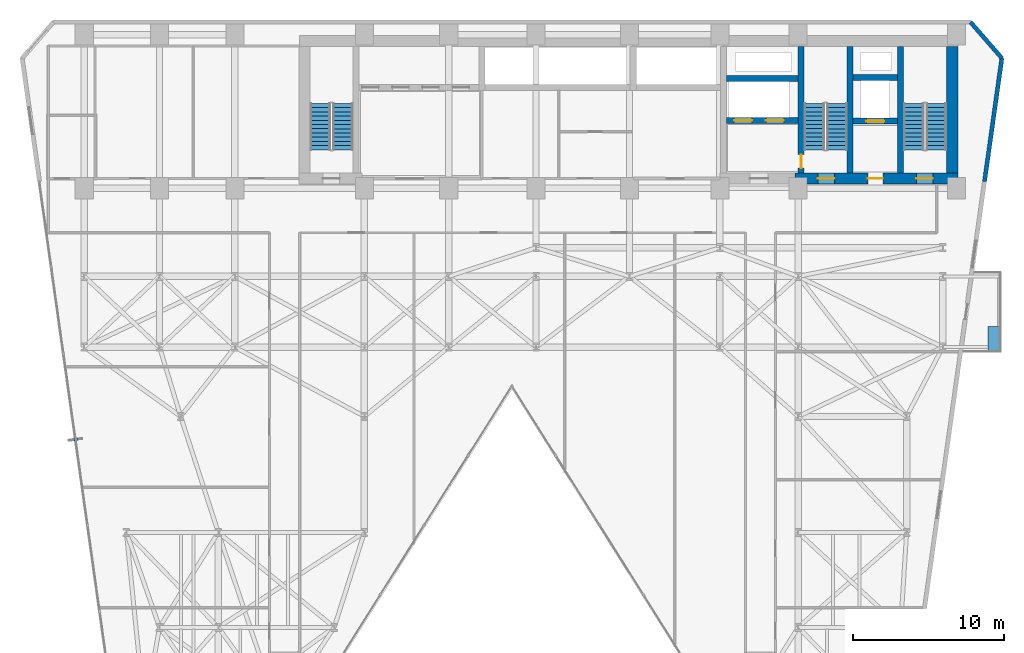
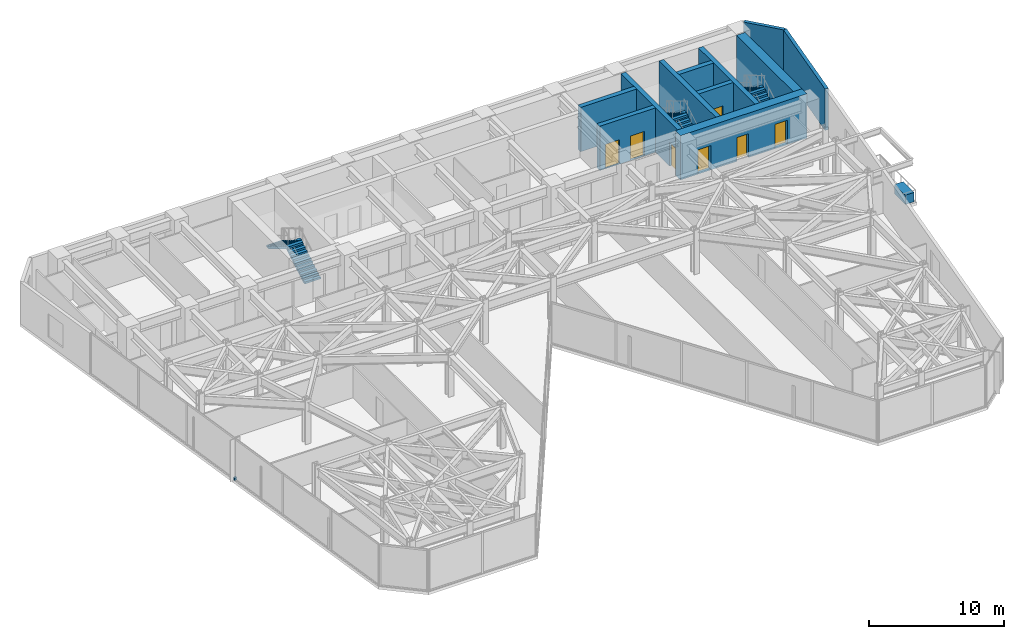
# One storey, part 21 of 25: 11 walls, 7 doors, 6 stair flights, 2 discrete accessories, 7 openings, 3 elements without a shape of their own.
"""IFC4 building model written with IfcOpenShell, lengths in metres."""

from ifc_helpers import new_model, si_unit, direction, frame, frame_2d, origin, origin_2d, place, context, subcontext, project, spatial, polyline, rectangle, outline, extrude, material, layer, layer_set, type_object, element, fill, aggregate, save


model = new_model("IFC4")

# Units and contexts
model_context = context("Model", 3, precision=1e-05, world=origin(), true_north=direction((0.0, 1.0)))
body_context = subcontext(model_context, "Body", "Model", "MODEL_VIEW")
ifc_project = project(units=[si_unit("LENGTHUNIT", "METRE"), si_unit("AREAUNIT", "SQUARE_METRE"), si_unit("VOLUMEUNIT", "CUBIC_METRE"), si_unit("PLANEANGLEUNIT", "RADIAN"), si_unit("MASSUNIT", "GRAM", prefix="KILO")], contexts=[model_context])

# Site, building, storey
site_placement = place(None, origin())
site = spatial("IfcSite", under=ifc_project, at=site_placement, CompositionType="ELEMENT")
building_placement = place(site_placement, origin())
building = spatial("IfcBuilding", under=site, at=building_placement, Name="Kravanh Interchange Tower", CompositionType="ELEMENT")
storey_placement = place(building_placement, frame((0.0, 0.0, 57.5)))
storey = spatial("IfcBuildingStorey", under=building, at=storey_placement, Name="L13", CompositionType="ELEMENT", Elevation=57.5)

# Walls
ifc_material_1 = material(Name="Concrete C80/95", Category="concrete")
ifc_layer_1 = layer(ifc_material_1, 0.39990234375)
ifc_layer_set_1 = layer_set([ifc_layer_1], Name="Core Shear Wall Concrete C80/95 400mm")
wall_type_1 = type_object("IfcWallType", Name="Core Shear Wall Concrete C80/95 400mm", PredefinedType="SHEAR", material=ifc_layer_set_1)
for number, where, z_axis, x_axis, name in (
    (1, (62.800048828125, 38.375, 0.0), (0.0, 0.0, 1.0), (0.0, 1.0, 0.0), "L13 Stair ST1 West Shear Wall"),
    (2, (59.449951171875, 38.375, 0.0), (0.0, 0.0, 1.0), (0.0, 1.0, 0.0), "L13 Stair ST2 East Shear Wall"),
):
    element("IfcWall", number, at=place(storey_placement, frame(where, z_axis=z_axis, x_axis=x_axis)), inside=storey, type_object=wall_type_1, Name=name, PredefinedType="SHEAR", context=body_context, shape_type="SweptSolid", body=[
        extrude(rectangle(XDim=8.375, YDim=0.39990234375, at=frame_2d((4.1875, 0.0))), origin(), (0.0, 0.0, 1.0), 4.0),
    ])

# Wall, opening, door
wall_1_placement = place(storey_placement, frame((56.199951171875, 38.375, 0.0), z_axis=(0.0, 0.0, 1.0), x_axis=(0.0, 1.0, 0.0)))
wall_1 = element("IfcWall", 3, at=wall_1_placement, inside=storey, type_object=wall_type_1, Name="L13 Stair ST2 West Shear Wall", PredefinedType="SHEAR", context=body_context, shape_type="SweptSolid", body=[
    extrude(rectangle(XDim=8.375, YDim=0.39990234375, at=frame_2d((4.1875, 0.0))), origin(), (0.0, 0.0, 1.0), 4.0),
])
opening_1_placement = place(wall_1_placement, frame((0.304931640625, 0.0, 0.0)))
opening_1 = element("IfcOpeningElement", 4, at=opening_1_placement, cuts=wall_1, Name="Opening D-STAIR-90", PredefinedType="OPENING", context=body_context, shape_type="SweptSolid", body=[
    extrude(rectangle(XDim=0.89990234375, YDim=2.14990234375, at=frame_2d((0.449951171875, 1.074951171875))), frame((0.0, 0.2099609375, 0.0), z_axis=(0.0, -1.0, 0.0), x_axis=(1.0, 0.0, 0.0)), (0.0, 0.0, 1.0), 0.419921875),
])
ifc_material_2 = material(Name="Structural Steel S355", Category="steel")
door_type_1 = type_object("IfcDoorType", Name="Fire-Rated Stair Lobby Door 900x2150", OperationType="NOTDEFINED", PredefinedType="DOOR", material=ifc_material_2)
door_1_placement = place(opening_1_placement, origin())
door_1 = element("IfcDoor", 5, at=door_1_placement, inside=storey, type_object=door_type_1, Name="L13 Firefighting Lobby to Stair ST2 Door", OperationType="SINGLE_SWING_LEFT", OverallHeight=2.14990234375, OverallWidth=0.89990234375, PredefinedType="DOOR", context=body_context, shape_type="SweptSolid", body=[
    extrude(rectangle(XDim=0.89990234375, YDim=2.14990234375, at=frame_2d((0.449951171875, 1.074951171875))), frame((0.0, 0.02490234375, 0.0), z_axis=(0.0, -1.0, 0.0), x_axis=(1.0, 0.0, 0.0)), (0.0, 0.0, 1.0), 0.050048828125),
])
fill(opening_1, door_1)

wall_2_placement = place(storey_placement, frame((59.64990234375, 41.800048828125, 0.0), z_axis=(0.0, 0.0, 1.0), x_axis=(1.0, 0.0, 0.0)))
wall_2 = element("IfcWall", 6, at=wall_2_placement, inside=storey, type_object=wall_type_1, Name="L13 Service Lift Shaft South Wall", PredefinedType="SHEAR", context=body_context, shape_type="SweptSolid", body=[
    extrude(rectangle(XDim=2.9501953125, YDim=0.39990234375, at=frame_2d((1.47509765625, 0.0))), origin(), (0.0, 0.0, 1.0), 4.0),
])
opening_2_placement = place(wall_2_placement, frame((0.8701171875, 0.0, 0.0)))
opening_2 = element("IfcOpeningElement", 7, at=opening_2_placement, cuts=wall_2, Name="Opening LD02", PredefinedType="OPENING", context=body_context, shape_type="SweptSolid", body=[
    extrude(rectangle(XDim=1.199951171875, YDim=2.199951171875, at=frame_2d((0.60009765625, 1.10009765625))), frame((0.0, 0.2099609375, 0.0), z_axis=(0.0, -1.0, 0.0), x_axis=(1.0, 0.0, 0.0)), (0.0, 0.0, 1.0), 0.419921875),
])
ifc_material_3 = material(Name="Stainless Steel 316", Category="steel")
door_type_2 = type_object("IfcDoorType", Name="Fire and Service Lift Sliding Landing Door 1200x2200", OperationType="DOUBLE_DOOR_SLIDING", PredefinedType="DOOR", material=ifc_material_3)
door_2_placement = place(opening_2_placement, origin())
door_2 = element("IfcDoor", 8, at=door_2_placement, inside=storey, type_object=door_type_2, Name="L13 Lift LS-01 Landing Door", OperationType="DOUBLE_DOOR_SLIDING", OverallHeight=2.199951171875, OverallWidth=1.199951171875, PredefinedType="DOOR", context=body_context, shape_type="SweptSolid", body=[
    extrude(rectangle(XDim=1.199951171875, YDim=2.199951171875, at=frame_2d((0.60009765625, 1.10009765625))), frame((0.0, 0.02490234375, 0.0), z_axis=(0.0, -1.0, 0.0), x_axis=(1.0, 0.0, 0.0)), (0.0, 0.0, 1.0), 0.050048828125),
])
fill(opening_2, door_2)

# Wall
wall_3_placement = place(storey_placement, frame((59.64990234375, 44.699951171875, 0.0), z_axis=(0.0, 0.0, 1.0), x_axis=(1.0, 0.0, 0.0)))
element("IfcWall", 9, at=wall_3_placement, inside=storey, type_object=wall_type_1, Name="L13 Service Lift Shaft North Wall", PredefinedType="SHEAR", context=body_context, shape_type="SweptSolid", body=[
    extrude(rectangle(XDim=2.9501953125, YDim=0.39990234375, at=frame_2d((1.47509765625, 0.0))), origin(), (0.0, 0.0, 1.0), 4.0),
])

# Wall, openings, doors
wall_4_placement = place(storey_placement, frame((51.25, 41.85009765625, 0.0), z_axis=(0.0, 0.0, 1.0), x_axis=(1.0, 0.0, 0.0)))
wall_4 = element("IfcWall", 10, at=wall_4_placement, inside=storey, type_object=wall_type_1, Name="L13 Fire Lift Shaft South Wall", PredefinedType="SHEAR", context=body_context, shape_type="SweptSolid", body=[
    extrude(rectangle(XDim=4.75, YDim=0.39990234375, at=frame_2d((2.375, 0.0))), origin(), (0.0, 0.0, 1.0), 4.0),
])
opening_3_placement = place(wall_4_placement, frame((0.5, 0.0, 0.0)))
opening_3 = element("IfcOpeningElement", 11, at=opening_3_placement, cuts=wall_4, Name="Opening LD02", PredefinedType="OPENING", context=body_context, shape_type="SweptSolid", body=[
    extrude(rectangle(XDim=1.199951171875, YDim=2.199951171875, at=frame_2d((0.60009765625, 1.10009765625))), frame((0.0, 0.2099609375, 0.0), z_axis=(0.0, -1.0, 0.0), x_axis=(1.0, 0.0, 0.0)), (0.0, 0.0, 1.0), 0.419921875),
])
opening_4_placement = place(wall_4_placement, frame((2.60009765625, 0.0, 0.0)))
opening_4 = element("IfcOpeningElement", 12, at=opening_4_placement, cuts=wall_4, Name="Opening LD02", PredefinedType="OPENING", context=body_context, shape_type="SweptSolid", body=[
    extrude(rectangle(XDim=1.199951171875, YDim=2.199951171875, at=frame_2d((0.60009765625, 1.10009765625))), frame((0.0, 0.2099609375, 0.0), z_axis=(0.0, -1.0, 0.0), x_axis=(1.0, 0.0, 0.0)), (0.0, 0.0, 1.0), 0.419921875),
])
door_3_placement = place(opening_3_placement, origin())
door_3 = element("IfcDoor", 13, at=door_3_placement, inside=storey, type_object=door_type_2, Name="L13 Lift FSAE-01 Landing Door", OperationType="DOUBLE_DOOR_SLIDING", OverallHeight=2.199951171875, OverallWidth=1.199951171875, PredefinedType="DOOR", context=body_context, shape_type="SweptSolid", body=[
    extrude(rectangle(XDim=1.199951171875, YDim=2.199951171875, at=frame_2d((0.60009765625, 1.10009765625))), frame((0.0, 0.02490234375, 0.0), z_axis=(0.0, -1.0, 0.0), x_axis=(1.0, 0.0, 0.0)), (0.0, 0.0, 1.0), 0.050048828125),
])
fill(opening_3, door_3)
door_4_placement = place(opening_4_placement, origin())
door_4 = element("IfcDoor", 14, at=door_4_placement, inside=storey, type_object=door_type_2, Name="L13 Lift FSAE-02 Landing Door", OperationType="DOUBLE_DOOR_SLIDING", OverallHeight=2.199951171875, OverallWidth=1.199951171875, PredefinedType="DOOR", context=body_context, shape_type="SweptSolid", body=[
    extrude(rectangle(XDim=1.199951171875, YDim=2.199951171875, at=frame_2d((0.60009765625, 1.10009765625))), frame((0.0, 0.02490234375, 0.0), z_axis=(0.0, -1.0, 0.0), x_axis=(1.0, 0.0, 0.0)), (0.0, 0.0, 1.0), 0.050048828125),
])
fill(opening_4, door_4)

# Wall
wall_5_placement = place(storey_placement, frame((51.25, 44.64990234375, 0.0), z_axis=(0.0, 0.0, 1.0), x_axis=(1.0, 0.0, 0.0)))
element("IfcWall", 15, at=wall_5_placement, inside=storey, type_object=wall_type_1, Name="L13 Fire Lift Shaft North Wall", PredefinedType="SHEAR", context=body_context, shape_type="SweptSolid", body=[
    extrude(rectangle(XDim=4.75, YDim=0.39990234375, at=frame_2d((2.375, 0.0))), origin(), (0.0, 0.0, 1.0), 4.0),
])

# Wall, openings, doors
ifc_material_4 = material(Name="Concrete C80/95", Category="concrete")
ifc_layer_2 = layer(ifc_material_4, 0.75)
ifc_layer_set_2 = layer_set([ifc_layer_2], Name="Core Shear Wall Concrete C80/95 750mm")
wall_type_2 = type_object("IfcWallType", Name="Core Shear Wall Concrete C80/95 750mm", PredefinedType="SHEAR", material=ifc_layer_set_2)
wall_6_placement = place(storey_placement, frame((55.800048828125, 38.0, 0.0), z_axis=(0.0, 0.0, 1.0), x_axis=(1.0, 0.0, 0.0)))
wall_6 = element("IfcWall", 16, at=wall_6_placement, inside=storey, type_object=wall_type_2, Name="L13 East Core South Shear Wall", PredefinedType="SHEAR", context=body_context, shape_type="SweptSolid", body=[
    extrude(rectangle(XDim=10.800048828125, YDim=0.75, at=frame_2d((5.39990234375, 0.0))), origin(), (0.0, 0.0, 1.0), 4.0),
])
opening_5_placement = place(wall_6_placement, frame((1.5, 0.0, 0.0)))
opening_5 = element("IfcOpeningElement", 17, at=opening_5_placement, cuts=wall_6, Name="Opening D-STAIR-110", PredefinedType="OPENING", context=body_context, shape_type="SweptSolid", body=[
    extrude(rectangle(XDim=1.10009765625, YDim=2.199951171875, at=frame_2d((0.550048828125, 1.10009765625))), frame((0.0, 0.385009765625, 0.0), z_axis=(0.0, -1.0, 0.0), x_axis=(1.0, 0.0, 0.0)), (0.0, 0.0, 1.0), 0.77001953125),
])
opening_6_placement = place(wall_6_placement, frame((4.820068359375, 0.0, 0.0)))
opening_6 = element("IfcOpeningElement", 18, at=opening_6_placement, cuts=wall_6, Name="Opening D-HOTEL-100", PredefinedType="OPENING", context=body_context, shape_type="SweptSolid", body=[
    extrude(rectangle(XDim=1.0, YDim=2.14990234375, at=frame_2d((0.5, 1.074951171875))), frame((0.0, 0.385009765625, 0.0), z_axis=(0.0, -1.0, 0.0), x_axis=(1.0, 0.0, 0.0)), (0.0, 0.0, 1.0), 0.77001953125),
])
opening_7_placement = place(wall_6_placement, frame((8.050048828125, 0.0, 0.0)))
opening_7 = element("IfcOpeningElement", 19, at=opening_7_placement, cuts=wall_6, Name="Opening D-STAIR-110", PredefinedType="OPENING", context=body_context, shape_type="SweptSolid", body=[
    extrude(rectangle(XDim=1.10009765625, YDim=2.199951171875, at=frame_2d((0.550048828125, 1.10009765625))), frame((0.0, 0.385009765625, 0.0), z_axis=(0.0, -1.0, 0.0), x_axis=(1.0, 0.0, 0.0)), (0.0, 0.0, 1.0), 0.77001953125),
])
ifc_material_5 = material(Name="Structural Steel S355", Category="steel")
door_type_3 = type_object("IfcDoorType", Name="Fire-Rated Exit Stair Door 1100x2200", OperationType="NOTDEFINED", PredefinedType="DOOR", material=ifc_material_5)
door_5_placement = place(opening_5_placement, origin())
door_5 = element("IfcDoor", 20, at=door_5_placement, inside=storey, type_object=door_type_3, Name="L13 Exit Stair ST2 Door", OperationType="SINGLE_SWING_RIGHT", OverallHeight=2.199951171875, OverallWidth=1.10009765625, PredefinedType="DOOR", context=body_context, shape_type="SweptSolid", body=[
    extrude(rectangle(XDim=1.10009765625, YDim=2.199951171875, at=frame_2d((0.550048828125, 1.10009765625))), frame((0.0, 0.02490234375, 0.0), z_axis=(0.0, -1.0, 0.0), x_axis=(1.0, 0.0, 0.0)), (0.0, 0.0, 1.0), 0.050048828125),
])
fill(opening_5, door_5)
door_6_placement = place(opening_7_placement, origin())
door_6 = element("IfcDoor", 21, at=door_6_placement, inside=storey, type_object=door_type_3, Name="L13 Exit Stair ST1 Door", OperationType="SINGLE_SWING_RIGHT", OverallHeight=2.199951171875, OverallWidth=1.10009765625, PredefinedType="DOOR", context=body_context, shape_type="SweptSolid", body=[
    extrude(rectangle(XDim=1.10009765625, YDim=2.199951171875, at=frame_2d((0.550048828125, 1.10009765625))), frame((0.0, 0.02490234375, 0.0), z_axis=(0.0, -1.0, 0.0), x_axis=(1.0, 0.0, 0.0)), (0.0, 0.0, 1.0), 0.050048828125),
])
fill(opening_7, door_6)
ifc_material_6 = material(Name="Fire-Rated Solid Timber Leaf", Category="wood")
door_type_4 = type_object("IfcDoorType", Name="Fire-Rated Suite Entrance Door 1000x2150", OperationType="NOTDEFINED", PredefinedType="DOOR", material=ifc_material_6)
door_7_placement = place(opening_6_placement, origin())
door_7 = element("IfcDoor", 22, at=door_7_placement, inside=storey, type_object=door_type_4, Name="L13 Service Lift Lobby Door", OperationType="SINGLE_SWING_RIGHT", OverallHeight=2.14990234375, OverallWidth=1.0, PredefinedType="DOOR", context=body_context, shape_type="SweptSolid", body=[
    extrude(rectangle(XDim=1.0, YDim=2.14990234375, at=frame_2d((0.5, 1.074951171875))), frame((0.0, 0.02490234375, 0.0), z_axis=(0.0, -1.0, 0.0), x_axis=(1.0, 0.0, 0.0)), (0.0, 0.0, 1.0), 0.050048828125),
])
fill(opening_6, door_7)

# Walls
wall_7_placement = place(storey_placement, frame((66.22509765625, 38.375, 0.0), z_axis=(0.0, 0.0, 1.0), x_axis=(0.0, 1.0, 0.0)))
element("IfcWall", 23, at=wall_7_placement, inside=storey, type_object=wall_type_2, Name="L13 Stair ST1 East Shear Wall", PredefinedType="SHEAR", context=body_context, shape_type="SweptSolid", body=[
    extrude(rectangle(XDim=8.375, YDim=0.75, at=frame_2d((4.1875, 0.0))), origin(), (0.0, 0.0, 1.0), 4.0),
])
ifc_material_7 = material(Name="Insulated Precast Concrete C40/50 with Bronze Cladding", Category="concrete")
ifc_layer_3 = layer(ifc_material_7, 0.280029296875)
ifc_layer_set_3 = layer_set([ifc_layer_3], Name="Exterior Insulated Concrete C40/50 Bronze Spandrel Wall 280mm")
wall_type_3 = type_object("IfcWallType", Name="Exterior Insulated Concrete C40/50 Bronze Spandrel Wall 280mm", PredefinedType="STANDARD", material=ifc_layer_set_3)
wall_8_placement = place(storey_placement, frame((67.4453125, 48.3798828125, 0.0), z_axis=(0.0, 0.0, 1.0), x_axis=(0.656070053895, -0.754699996278, 0.0)))
element("IfcWall", 24, at=wall_8_placement, inside=storey, type_object=wall_type_3, Name="L13 Exterior Wall 4", PredefinedType="STANDARD", context=body_context, shape_type="SweptSolid", body=[
    extrude(rectangle(XDim=3.1708984375, YDim=0.280029296875, at=frame_2d((1.58544921875, 0.0))), origin(), (0.0, 0.0, 1.0), 3.739990234375),
])
wall_9_placement = place(storey_placement, frame((69.525634765625, 45.98681640625, 0.0), z_axis=(0.0, 0.0, 1.0), x_axis=(-0.139180172484, -0.990267074878, 0.0)))
element("IfcWall", 25, at=wall_9_placement, inside=storey, type_object=wall_type_3, Name="L13 Exterior Wall 5", PredefinedType="STANDARD", context=body_context, shape_type="SweptSolid", body=[
    extrude(rectangle(XDim=8.267333984375, YDim=0.280029296875, at=frame_2d((4.1337890625, 0.0))), origin(), (0.0, 0.0, 1.0), 3.739990234375),
])

# Stair, stair flights
ifc_material_8 = material(Name="Concrete C50/60", Category="concrete")
stair_type = type_object("IfcStairType", Name="Core Fire Exit Dogleg Stair Concrete C50/60", PredefinedType="HALF_TURN_STAIR", material=ifc_material_8)
stair_1_placement = place(storey_placement, origin())
stair_1 = element("IfcStair", 26, at=stair_1_placement, inside=storey, type_object=stair_type, Name="L13 Exit Stair ST1", PredefinedType="HALF_TURN_STAIR")
ifc_material_9 = material(Name="Precast Concrete C50/60", Category="concrete")
ifc_layer_4 = layer(ifc_material_9, 0.199951171875)
ifc_layer_set_4 = layer_set([ifc_layer_4], Name="Precast Concrete C50/60 Stair Flight 1350mm")
stair_flight_type = type_object("IfcStairFlightType", Name="Precast Concrete C50/60 Stair Flight 1350mm", PredefinedType="STRAIGHT", material=ifc_layer_set_4)
stair_flight_1_placement = place(storey_placement, frame((65.175048828125, 39.89990234375, 0.0), z_axis=(0.0, 0.0, 1.0), x_axis=(0.0, 1.0, 0.0)))
stair_flight_1 = element("IfcStairFlight", 27, at=stair_flight_1_placement, type_object=stair_flight_type, Name="ST1 flight 1", NumberOfRisers=12, NumberOfTreads=11, PredefinedType="STRAIGHT", RiserHeight=0.166666667, TreadLength=0.28, context=body_context, shape_type="SweptSolid", body=[
    extrude(outline(polyline([(0.0, 0.0), (0.0, 0.166748046875), (0.280029296875, 0.166748046875), (0.280029296875, 0.333251953125), (0.56005859375, 0.333251953125), (0.56005859375, 0.5), (0.840087890625, 0.5), (0.840087890625, 0.666748046875), (1.1201171875, 0.666748046875), (1.1201171875, 0.833251953125), (1.39990234375, 0.833251953125), (1.39990234375, 1.0), (1.679931640625, 1.0), (1.679931640625, 1.166748046875), (1.9599609375, 1.166748046875), (1.9599609375, 1.333251953125), (2.239990234375, 1.333251953125), (2.239990234375, 1.5), (2.52001953125, 1.5), (2.52001953125, 1.666748046875), (2.800048828125, 1.666748046875), (2.800048828125, 1.833251953125), (3.080078125, 1.833251953125), (3.080078125, 2.0), (3.080078125, 1.658935546875), (0.29296875, 0.0), (0.0, 0.0)])), frame((0.0, 0.675048828125, 0.0), z_axis=(0.0, -1.0, 0.0), x_axis=(1.0, 0.0, 0.0)), (0.0, 0.0, 1.0), 1.35009765625),
])
stair_flight_2_placement = place(storey_placement, frame((63.675048828125, 42.97998046875, 2.0), z_axis=(0.0, 0.0, 1.0), x_axis=(0.0, -1.0, 0.0)))
stair_flight_2 = element("IfcStairFlight", 28, at=stair_flight_2_placement, type_object=stair_flight_type, Name="ST1 flight 2", NumberOfRisers=12, NumberOfTreads=11, PredefinedType="STRAIGHT", RiserHeight=0.166666667, TreadLength=0.28, context=body_context, shape_type="SweptSolid", body=[
    extrude(outline(polyline([(0.0, 0.0), (0.0, 0.166748046875), (0.280029296875, 0.166748046875), (0.280029296875, 0.333251953125), (0.56005859375, 0.333251953125), (0.56005859375, 0.5), (0.840087890625, 0.5), (0.840087890625, 0.666748046875), (1.1201171875, 0.666748046875), (1.1201171875, 0.833251953125), (1.39990234375, 0.833251953125), (1.39990234375, 1.0), (1.679931640625, 1.0), (1.679931640625, 1.166748046875), (1.9599609375, 1.166748046875), (1.9599609375, 1.333251953125), (2.239990234375, 1.333251953125), (2.239990234375, 1.5), (2.52001953125, 1.5), (2.52001953125, 1.666748046875), (2.800048828125, 1.666748046875), (2.800048828125, 1.833251953125), (3.080078125, 1.833251953125), (3.080078125, 2.0), (3.080078125, 1.658935546875), (0.29296875, 0.0), (0.0, 0.0)])), frame((0.0, 0.675048828125, 0.0), z_axis=(0.0, -1.0, 0.0), x_axis=(1.0, 0.0, 0.0)), (0.0, 0.0, 1.0), 1.35009765625),
])
aggregate(stair_1, [stair_flight_1, stair_flight_2])

stair_2_placement = place(storey_placement, origin())
stair_2 = element("IfcStair", 29, at=stair_2_placement, inside=storey, type_object=stair_type, Name="L13 Exit Stair ST2", PredefinedType="HALF_TURN_STAIR")
stair_flight_3_placement = place(storey_placement, frame((58.574951171875, 39.89990234375, 0.0), z_axis=(0.0, 0.0, 1.0), x_axis=(0.0, 1.0, 0.0)))
stair_flight_3 = element("IfcStairFlight", 30, at=stair_flight_3_placement, type_object=stair_flight_type, Name="ST2 flight 1", NumberOfRisers=12, NumberOfTreads=11, PredefinedType="STRAIGHT", RiserHeight=0.166666667, TreadLength=0.28, context=body_context, shape_type="SweptSolid", body=[
    extrude(outline(polyline([(0.0, 0.0), (0.0, 0.166748046875), (0.280029296875, 0.166748046875), (0.280029296875, 0.333251953125), (0.56005859375, 0.333251953125), (0.56005859375, 0.5), (0.840087890625, 0.5), (0.840087890625, 0.666748046875), (1.1201171875, 0.666748046875), (1.1201171875, 0.833251953125), (1.39990234375, 0.833251953125), (1.39990234375, 1.0), (1.679931640625, 1.0), (1.679931640625, 1.166748046875), (1.9599609375, 1.166748046875), (1.9599609375, 1.333251953125), (2.239990234375, 1.333251953125), (2.239990234375, 1.5), (2.52001953125, 1.5), (2.52001953125, 1.666748046875), (2.800048828125, 1.666748046875), (2.800048828125, 1.833251953125), (3.080078125, 1.833251953125), (3.080078125, 2.0), (3.080078125, 1.658935546875), (0.29296875, 0.0), (0.0, 0.0)])), frame((0.0, 0.675048828125, 0.0), z_axis=(0.0, -1.0, 0.0), x_axis=(1.0, 0.0, 0.0)), (0.0, 0.0, 1.0), 1.35009765625),
])
stair_flight_4_placement = place(storey_placement, frame((57.074951171875, 42.97998046875, 2.0), z_axis=(0.0, 0.0, 1.0), x_axis=(0.0, -1.0, 0.0)))
stair_flight_4 = element("IfcStairFlight", 31, at=stair_flight_4_placement, type_object=stair_flight_type, Name="ST2 flight 2", NumberOfRisers=12, NumberOfTreads=11, PredefinedType="STRAIGHT", RiserHeight=0.166666667, TreadLength=0.28, context=body_context, shape_type="SweptSolid", body=[
    extrude(outline(polyline([(0.0, 0.0), (0.0, 0.166748046875), (0.280029296875, 0.166748046875), (0.280029296875, 0.333251953125), (0.56005859375, 0.333251953125), (0.56005859375, 0.5), (0.840087890625, 0.5), (0.840087890625, 0.666748046875), (1.1201171875, 0.666748046875), (1.1201171875, 0.833251953125), (1.39990234375, 0.833251953125), (1.39990234375, 1.0), (1.679931640625, 1.0), (1.679931640625, 1.166748046875), (1.9599609375, 1.166748046875), (1.9599609375, 1.333251953125), (2.239990234375, 1.333251953125), (2.239990234375, 1.5), (2.52001953125, 1.5), (2.52001953125, 1.666748046875), (2.800048828125, 1.666748046875), (2.800048828125, 1.833251953125), (3.080078125, 1.833251953125), (3.080078125, 2.0), (3.080078125, 1.658935546875), (0.29296875, 0.0), (0.0, 0.0)])), frame((0.0, 0.675048828125, 0.0), z_axis=(0.0, -1.0, 0.0), x_axis=(1.0, 0.0, 0.0)), (0.0, 0.0, 1.0), 1.35009765625),
])
aggregate(stair_2, [stair_flight_3, stair_flight_4])

stair_3_placement = place(storey_placement, origin())
stair_3 = element("IfcStair", 32, at=stair_3_placement, inside=storey, type_object=stair_type, Name="L13 Exit Stair ST3", PredefinedType="HALF_TURN_STAIR")
stair_flight_5_placement = place(storey_placement, frame((25.77490234375, 39.89990234375, 0.0), z_axis=(0.0, 0.0, 1.0), x_axis=(0.0, 1.0, 0.0)))
stair_flight_5 = element("IfcStairFlight", 33, at=stair_flight_5_placement, type_object=stair_flight_type, Name="ST3 flight 1", NumberOfRisers=12, NumberOfTreads=11, PredefinedType="STRAIGHT", RiserHeight=0.166666667, TreadLength=0.28, context=body_context, shape_type="SweptSolid", body=[
    extrude(outline(polyline([(0.0, 0.0), (0.0, 0.166748046875), (0.280029296875, 0.166748046875), (0.280029296875, 0.333251953125), (0.56005859375, 0.333251953125), (0.56005859375, 0.5), (0.840087890625, 0.5), (0.840087890625, 0.666748046875), (1.1201171875, 0.666748046875), (1.1201171875, 0.833251953125), (1.39990234375, 0.833251953125), (1.39990234375, 1.0), (1.679931640625, 1.0), (1.679931640625, 1.166748046875), (1.9599609375, 1.166748046875), (1.9599609375, 1.333251953125), (2.239990234375, 1.333251953125), (2.239990234375, 1.5), (2.52001953125, 1.5), (2.52001953125, 1.666748046875), (2.800048828125, 1.666748046875), (2.800048828125, 1.833251953125), (3.080078125, 1.833251953125), (3.080078125, 2.0), (3.080078125, 1.658935546875), (0.29296875, 0.0), (0.0, 0.0)])), frame((0.0, 0.675048828125, 0.0), z_axis=(0.0, -1.0, 0.0), x_axis=(1.0, 0.0, 0.0)), (0.0, 0.0, 1.0), 1.35009765625),
])
stair_flight_6_placement = place(storey_placement, frame((24.27490234375, 42.97998046875, 2.0), z_axis=(0.0, 0.0, 1.0), x_axis=(0.0, -1.0, 0.0)))
stair_flight_6 = element("IfcStairFlight", 34, at=stair_flight_6_placement, type_object=stair_flight_type, Name="ST3 flight 2", NumberOfRisers=12, NumberOfTreads=11, PredefinedType="STRAIGHT", RiserHeight=0.166666667, TreadLength=0.28, context=body_context, shape_type="SweptSolid", body=[
    extrude(outline(polyline([(0.0, 0.0), (0.0, 0.166748046875), (0.280029296875, 0.166748046875), (0.280029296875, 0.333251953125), (0.56005859375, 0.333251953125), (0.56005859375, 0.5), (0.840087890625, 0.5), (0.840087890625, 0.666748046875), (1.1201171875, 0.666748046875), (1.1201171875, 0.833251953125), (1.39990234375, 0.833251953125), (1.39990234375, 1.0), (1.679931640625, 1.0), (1.679931640625, 1.166748046875), (1.9599609375, 1.166748046875), (1.9599609375, 1.333251953125), (2.239990234375, 1.333251953125), (2.239990234375, 1.5), (2.52001953125, 1.5), (2.52001953125, 1.666748046875), (2.800048828125, 1.666748046875), (2.800048828125, 1.833251953125), (3.080078125, 1.833251953125), (3.080078125, 2.0), (3.080078125, 1.658935546875), (0.29296875, 0.0), (0.0, 0.0)])), frame((0.0, 0.675048828125, 0.0), z_axis=(0.0, -1.0, 0.0), x_axis=(1.0, 0.0, 0.0)), (0.0, 0.0, 1.0), 1.35009765625),
])
aggregate(stair_3, [stair_flight_5, stair_flight_6])

# Discrete accessories
ifc_material_10 = material(Name="Stainless Steel 316", Category="steel")
discrete_accessory_type_1 = type_object("IfcDiscreteAccessoryType", Name="Solar Fin Curtain-Wall Mounting Bracket Stainless 316", PredefinedType="BRACKET", material=ifc_material_10)
discrete_accessory_1_placement = place(storey_placement, frame((8.03271484375, 20.66845703125, 0.0), z_axis=(0.0, 0.0, 1.0), x_axis=(-0.990267798532, -0.139175023587, 0.0)))
element("IfcDiscreteAccessory", 35, at=discrete_accessory_1_placement, inside=storey, type_object=discrete_accessory_type_1, Name="L13 Solar Fin Mounting Bracket 1", PredefinedType="BRACKET", context=body_context, shape_type="SweptSolid", body=[
    extrude(rectangle(XDim=0.239990234375, YDim=0.179931640625, at=origin_2d()), origin(), (0.0, 0.0, 1.0), 0.219970703125),
])
ifc_material_11 = material(Name="Architectural GRC Concrete C40/50 with Root Barrier", Category="concrete")
discrete_accessory_type_2 = type_object("IfcDiscreteAccessoryType", Name="Structural Balcony Tree Planter Box Concrete C40/50 1600x750x850", PredefinedType="USERDEFINED", material=ifc_material_11)
discrete_accessory_2_placement = place(storey_placement, frame((68.969970703125, 27.3798828125, 0.0), z_axis=(0.0, 0.0, 1.0), x_axis=(1.0, 0.0, 0.0)))
element("IfcDiscreteAccessory", 36, at=discrete_accessory_2_placement, inside=storey, type_object=discrete_accessory_type_2, Name="L13 E Balcony TREE PLANTER", ObjectType="PLANTER", PredefinedType="USERDEFINED", context=body_context, shape_type="SweptSolid", body=[
    extrude(rectangle(XDim=0.75, YDim=1.60009765625, at=origin_2d()), origin(), (0.0, 0.0, 1.0), 0.85009765625),
])

save(model, "model.ifc")
